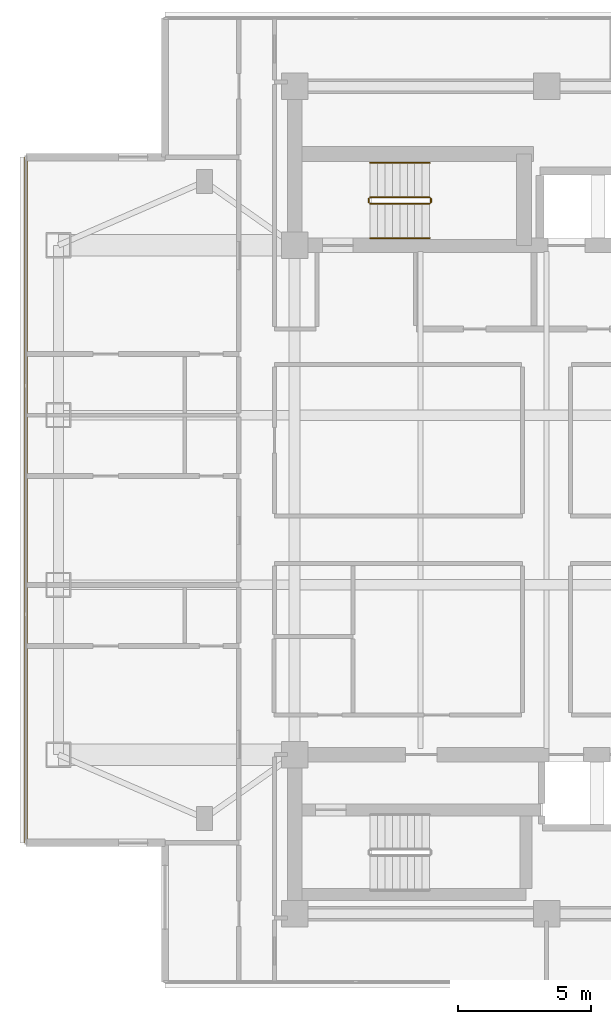
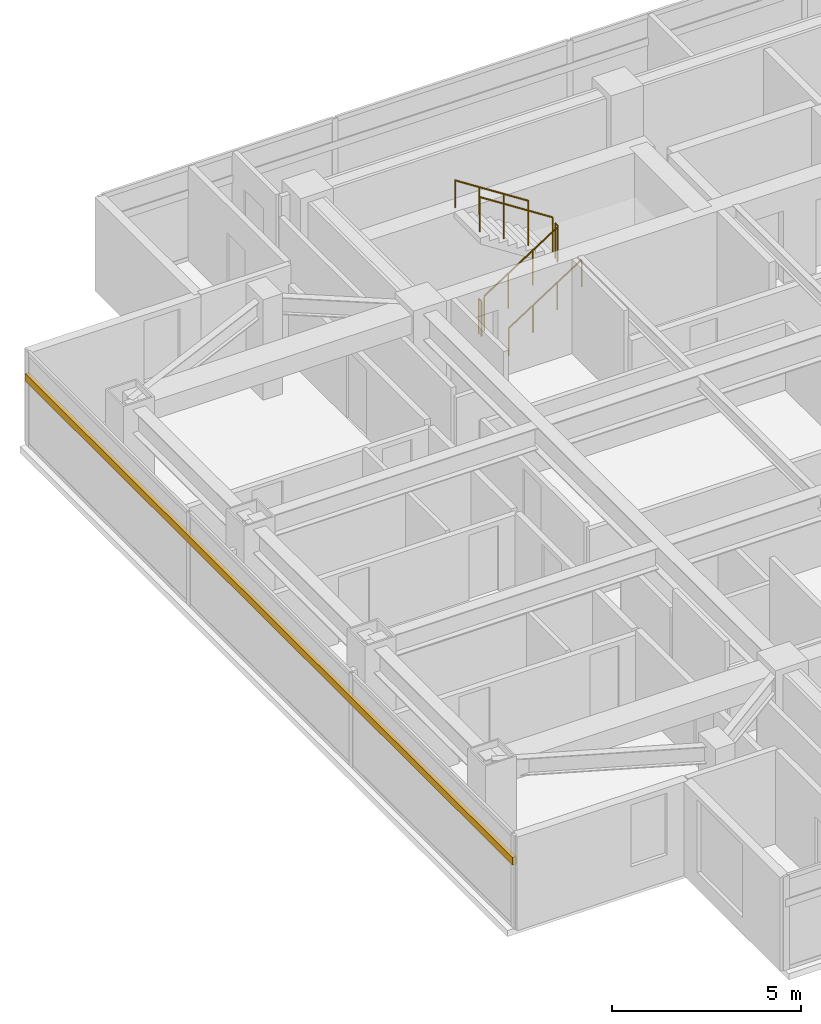
# One storey, part 21 of 24: 6 railings, 1 shading device.
"""IFC4 building model written with IfcOpenShell, lengths in metres."""

from ifc_helpers import new_model, si_unit, direction, frame, origin, origin_2d, place, context, subcontext, project, spatial, rectangle, circle, extrude, material, material_profile, profile_set, type_object, element, save


model = new_model("IFC4")

# Units and contexts
model_context = context("Model", 3, precision=1e-05, world=origin(), true_north=direction((0.0, 1.0)))
body_context = subcontext(model_context, "Body", "Model", "MODEL_VIEW")
ifc_project = project(units=[si_unit("LENGTHUNIT", "METRE"), si_unit("AREAUNIT", "SQUARE_METRE"), si_unit("VOLUMEUNIT", "CUBIC_METRE"), si_unit("PLANEANGLEUNIT", "RADIAN"), si_unit("MASSUNIT", "GRAM", prefix="KILO")], contexts=[model_context])

# Site, building, storey
site_placement = place(None, origin())
site = spatial("IfcSite", under=ifc_project, at=site_placement, CompositionType="ELEMENT")
building_placement = place(site_placement, origin())
building = spatial("IfcBuilding", under=site, at=building_placement, Name="Mirazonda Arch Towers", CompositionType="ELEMENT")
storey_placement = place(building_placement, frame((0.0, 0.0, 154.39990234375)))
storey = spatial("IfcBuildingStorey", under=building, at=storey_placement, Name="L43", CompositionType="ELEMENT", Elevation=154.39990234375)

# Shading device
ifc_material_1 = material(Name="Kiln-Fired Architectural Terracotta", Category="masonry")
ifc_material_profile = material_profile(ifc_material_1, rectangle(XDim=0.1201171875, YDim=0.239990234375, at=origin_2d()), Name="TERRA-BAG-120x240")
ifc_profile_set = profile_set([ifc_material_profile], Name="Kiln-Fired Architectural Terracotta")
shading_device_type = type_object("IfcShadingDeviceType", Name="BAGUETTE-1", PredefinedType="USERDEFINED", material=ifc_profile_set)
shading_device_placement = place(storey_placement, frame((0.8701171875, 40.925048828125, 2.181640625), z_axis=(0.0, -1.0, 0.0), x_axis=(1.0, 0.0, 0.0)))
element("IfcShadingDevice", 1, at=shading_device_placement, inside=storey, type_object=shading_device_type, Name="L43 Glazed Terracotta Sun-Screen Baguette CW-L43-T1-W", ObjectType="BAGUETTE", PredefinedType="USERDEFINED", context=body_context, shape_type="SweptSolid", body=[
    extrude(rectangle(XDim=0.1201171875, YDim=0.239990234375, at=origin_2d()), origin(), (0.0, 0.0, 1.0), 25.85009765625),
])

# Railings
ifc_material_2 = material(Name="Architectural Brushed Steel S355", Category="steel")
railing_type_1 = type_object("IfcRailingType", Name="GUARD-STAIR-1120", PredefinedType="GUARDRAIL", material=ifc_material_2)
railing_1_placement = place(storey_placement, frame((13.85009765625, 39.169921875, 0.1806640625)))
element("IfcRailing", 2, at=railing_1_placement, inside=storey, type_object=railing_type_1, Name="L43 ST-T1N stair guard 1", PredefinedType="GUARDRAIL", context=body_context, shape_type="SweptSolid", body=[
    extrude(circle(Radius=0.02392578125, at=origin_2d()), frame((0.0, 0.0, 1.1259765625), z_axis=(0.840436612492, 0.0, 0.541909863706), x_axis=(0.0, 1.0, 0.0)), (0.0, 0.0, 1.0), 2.665283203125),
    extrude(circle(Radius=0.02099609375, at=origin_2d()), origin(), (0.0, 0.0, 1.0), 1.101806640625),
    extrude(circle(Radius=0.02099609375, at=origin_2d()), frame((0.74658203125, 0.0, 0.4814453125)), (0.0, 0.0, 1.0), 1.101806640625),
    extrude(circle(Radius=0.02099609375, at=origin_2d()), frame((1.493408203125, 0.0, 0.962890625)), (0.0, 0.0, 1.0), 1.101806640625),
    extrude(circle(Radius=0.02099609375, at=origin_2d()), frame((2.239990234375, 0.0, 1.4443359375)), (0.0, 0.0, 1.0), 1.101806640625),
])
railing_2_placement = place(storey_placement, frame((16.139892578125, 39.219970703125, 1.625)))
element("IfcRailing", 3, at=railing_2_placement, inside=storey, type_object=railing_type_1, Name="L43 ST-T1N stair guard 2", PredefinedType="GUARDRAIL", context=body_context, shape_type="SweptSolid", body=[
    extrude(circle(Radius=0.02392578125, at=origin_2d()), frame((0.0, 0.0, 1.1259765625), z_axis=(0.0, 1.0, 0.0), x_axis=(-1.0, 0.0, 0.0)), (0.0, 0.0, 1.0), 0.14013671875),
    extrude(circle(Radius=0.02099609375, at=origin_2d()), origin(), (0.0, 0.0, 1.0), 1.101806640625),
    extrude(circle(Radius=0.02099609375, at=origin_2d()), frame((0.0, 0.14013671875, 0.0)), (0.0, 0.0, 1.0), 1.101806640625),
])
railing_3_placement = place(storey_placement, frame((16.090087890625, 39.409912109375, 1.8056640625)))
element("IfcRailing", 4, at=railing_3_placement, inside=storey, type_object=railing_type_1, Name="L43 ST-T1N stair guard 3", PredefinedType="GUARDRAIL", context=body_context, shape_type="SweptSolid", body=[
    extrude(circle(Radius=0.02392578125, at=origin_2d()), frame((0.0, 0.0, 1.1259765625), z_axis=(-0.840436612492, 0.0, 0.541909863706), x_axis=(0.0, -1.0, 0.0)), (0.0, 0.0, 1.0), 2.665283203125),
    extrude(circle(Radius=0.02099609375, at=origin_2d()), origin(), (0.0, 0.0, 1.0), 1.101806640625),
    extrude(circle(Radius=0.02099609375, at=origin_2d()), frame((-0.74658203125, 0.0, 0.4814453125)), (0.0, 0.0, 1.0), 1.101806640625),
    extrude(circle(Radius=0.02099609375, at=origin_2d()), frame((-1.493408203125, 0.0, 0.962890625)), (0.0, 0.0, 1.0), 1.101806640625),
    extrude(circle(Radius=0.02099609375, at=origin_2d()), frame((-2.239990234375, 0.0, 1.4443359375)), (0.0, 0.0, 1.0), 1.101806640625),
])
railing_4_placement = place(storey_placement, frame((13.800048828125, 39.219970703125, 0.0)))
element("IfcRailing", 5, at=railing_4_placement, inside=storey, type_object=railing_type_1, Name="L43 ST-T1N stair guard 4", PredefinedType="GUARDRAIL", context=body_context, shape_type="SweptSolid", body=[
    extrude(circle(Radius=0.02392578125, at=origin_2d()), frame((0.0, 0.0, 1.1259765625), z_axis=(0.0, 1.0, 0.0), x_axis=(-1.0, 0.0, 0.0)), (0.0, 0.0, 1.0), 0.14013671875),
    extrude(circle(Radius=0.02099609375, at=origin_2d()), origin(), (0.0, 0.0, 1.0), 1.101806640625),
    extrude(circle(Radius=0.02099609375, at=origin_2d()), frame((0.0, 0.14013671875, 0.0)), (0.0, 0.0, 1.0), 1.101806640625),
])
railing_type_2 = type_object("IfcRailingType", Name="HANDRAIL-915", PredefinedType="HANDRAIL", material=ifc_material_2)
railing_5_placement = place(storey_placement, frame((13.85009765625, 37.8701171875, 0.1806640625)))
element("IfcRailing", 6, at=railing_5_placement, inside=storey, type_object=railing_type_2, Name="L43 ST-T1N stair handrail 1", PredefinedType="HANDRAIL", context=body_context, shape_type="SweptSolid", body=[
    extrude(circle(Radius=0.02392578125, at=origin_2d()), frame((0.0, 0.0, 0.8759765625), z_axis=(0.840436612492, 0.0, 0.541909863706), x_axis=(0.0, 1.0, 0.0)), (0.0, 0.0, 1.0), 2.665283203125),
    extrude(circle(Radius=0.02099609375, at=origin_2d()), origin(), (0.0, 0.0, 1.0), 0.851806640625),
    extrude(circle(Radius=0.02099609375, at=origin_2d()), frame((0.74658203125, 0.0, 0.4814453125)), (0.0, 0.0, 1.0), 0.851806640625),
    extrude(circle(Radius=0.02099609375, at=origin_2d()), frame((1.493408203125, 0.0, 0.962890625)), (0.0, 0.0, 1.0), 0.851806640625),
    extrude(circle(Radius=0.02099609375, at=origin_2d()), frame((2.239990234375, 0.0, 1.4443359375)), (0.0, 0.0, 1.0), 0.851806640625),
])
railing_6_placement = place(storey_placement, frame((16.090087890625, 40.7099609375, 1.8056640625)))
element("IfcRailing", 7, at=railing_6_placement, inside=storey, type_object=railing_type_2, Name="L43 ST-T1N stair handrail 2", PredefinedType="HANDRAIL", context=body_context, shape_type="SweptSolid", body=[
    extrude(circle(Radius=0.02392578125, at=origin_2d()), frame((0.0, 0.0, 0.8759765625), z_axis=(-0.840436612492, 0.0, 0.541909863706), x_axis=(0.0, -1.0, 0.0)), (0.0, 0.0, 1.0), 2.665283203125),
    extrude(circle(Radius=0.02099609375, at=origin_2d()), origin(), (0.0, 0.0, 1.0), 0.851806640625),
    extrude(circle(Radius=0.02099609375, at=origin_2d()), frame((-0.74658203125, 0.0, 0.4814453125)), (0.0, 0.0, 1.0), 0.851806640625),
    extrude(circle(Radius=0.02099609375, at=origin_2d()), frame((-1.493408203125, 0.0, 0.962890625)), (0.0, 0.0, 1.0), 0.851806640625),
    extrude(circle(Radius=0.02099609375, at=origin_2d()), frame((-2.239990234375, 0.0, 1.4443359375)), (0.0, 0.0, 1.0), 0.851806640625),
])

save(model, "model.ifc")
